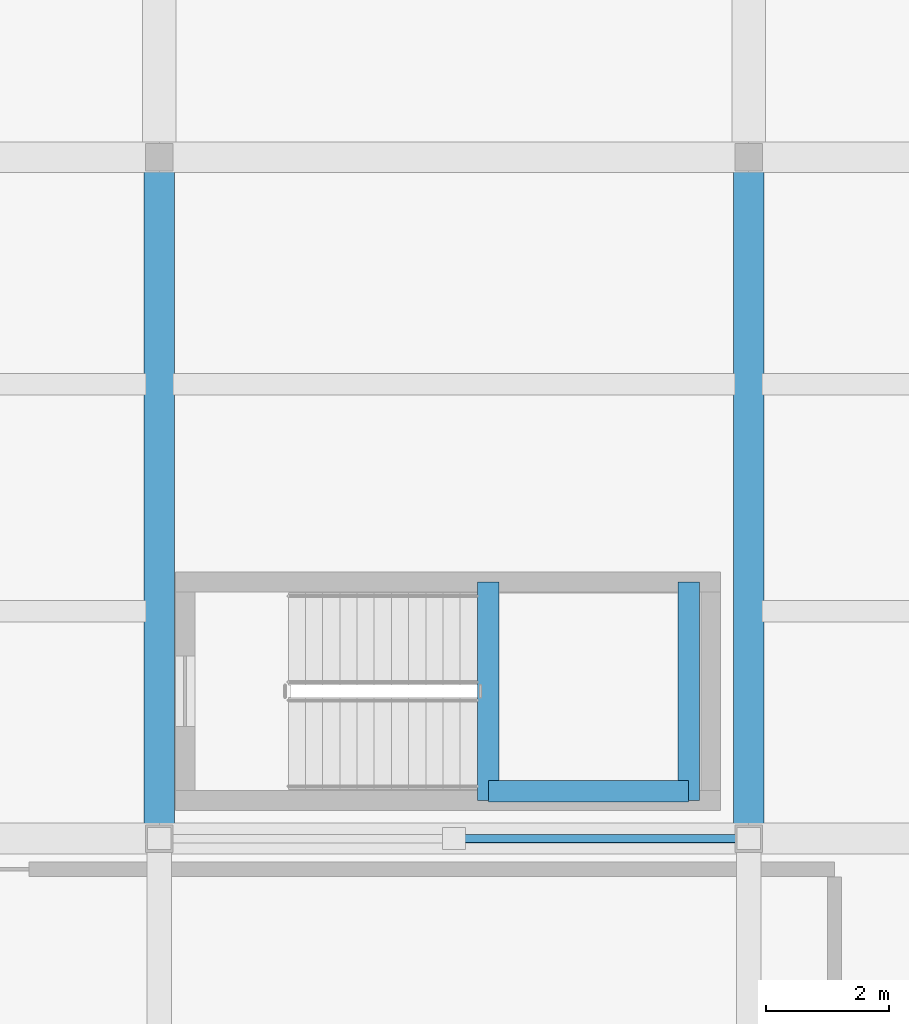
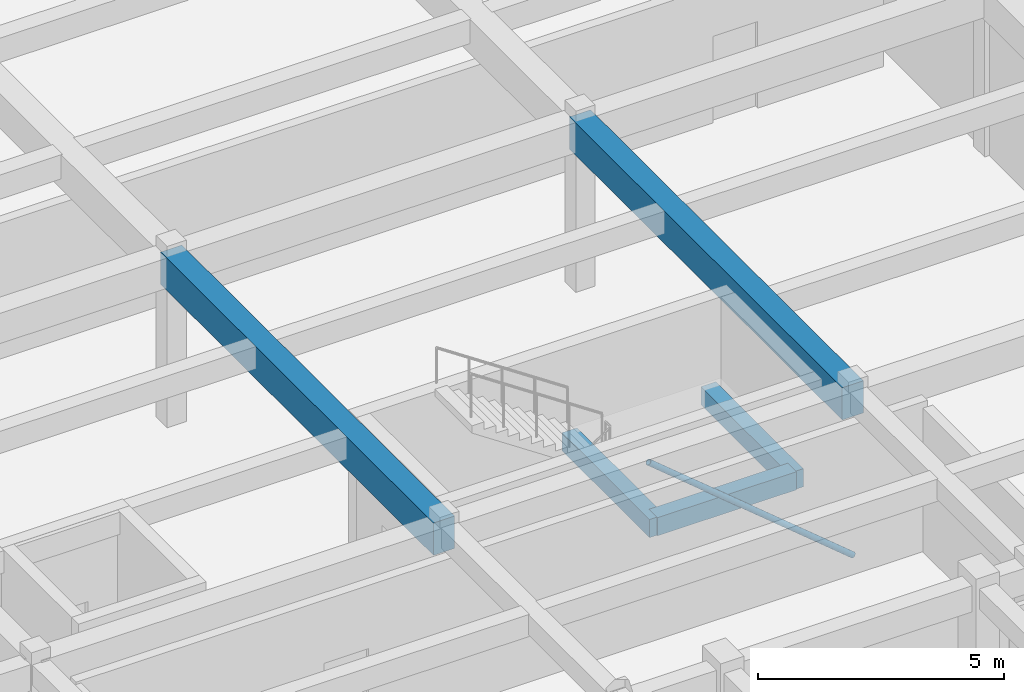
# One storey, part 49 of 92: 5 beams, 1 member.
"""IFC4 building model written with IfcOpenShell, lengths in metres."""

from ifc_helpers import new_model, si_unit, direction, frame, origin, origin_2d, place, context, subcontext, project, spatial, rectangle, hollow_circle, extrude, material, material_profile, profile_set, type_object, element, save


model = new_model("IFC4")

# Units and contexts
model_context = context("Model", 3, precision=1e-05, world=origin(), true_north=direction((0.0, 1.0)))
body_context = subcontext(model_context, "Body", "Model", "MODEL_VIEW")
ifc_project = project(units=[si_unit("LENGTHUNIT", "METRE"), si_unit("AREAUNIT", "SQUARE_METRE"), si_unit("VOLUMEUNIT", "CUBIC_METRE"), si_unit("PLANEANGLEUNIT", "RADIAN"), si_unit("MASSUNIT", "GRAM", prefix="KILO")], contexts=[model_context])

# Site, building, storey
site_placement = place(None, origin())
site = spatial("IfcSite", under=ifc_project, at=site_placement, CompositionType="ELEMENT")
building_placement = place(site_placement, origin())
building = spatial("IfcBuilding", under=site, at=building_placement, Name="Tarnavel Promenade Courthouse", CompositionType="ELEMENT")
storey_placement = place(building_placement, frame((0.0, 0.0, 5.39990234375)))
storey = spatial("IfcBuildingStorey", under=building, at=storey_placement, Name="L02", CompositionType="ELEMENT", Elevation=5.39990234375)

# Beams
ifc_material_1 = material(Name="Concrete C40/50", Category="concrete")
ifc_material_profile_1 = material_profile(ifc_material_1, rectangle(XDim=0.5, YDim=0.800048828125, at=origin_2d()), Name="PT 500x800")
ifc_profile_set_1 = profile_set([ifc_material_profile_1], Name="Concrete C40/50")
beam_type_1 = type_object("IfcBeamType", Name="Concrete C40/50 BM-PT-500x800 (PT 500x800)", PredefinedType="T_BEAM", material=ifc_profile_set_1)
for number, where, z_axis, x_axis, name in (
    (1, (129.60009765625, 74.39990234375, 3.835205078125), (0.0, 1.0, 0.0), (-1.0, 0.0, 0.0), "L02 Transverse Girder 1327"),
    (2, (139.199951171875, 74.39990234375, 3.835205078125), (0.0, 1.0, 0.0), (-1.0, 0.0, 0.0), "L02 Transverse Girder 1338"),
):
    element("IfcBeam", number, at=place(storey_placement, frame(where, z_axis=z_axis, x_axis=x_axis)), inside=storey, type_object=beam_type_1, Name=name, PredefinedType="T_BEAM", context=body_context, shape_type="SweptSolid", body=[
        extrude(rectangle(XDim=0.5, YDim=0.800048828125, at=origin_2d()), origin(), (0.0, 0.0, 1.0), 11.10009765625),
    ])
ifc_material_profile_2 = material_profile(ifc_material_1, rectangle(XDim=0.35009765625, YDim=0.449951171875, at=origin_2d()), Name="RC 350x450")
ifc_profile_set_2 = profile_set([ifc_material_profile_2], Name="Concrete C40/50")
beam_type_2 = type_object("IfcBeamType", Name="Concrete C40/50 BM-RC-350x450 (RC 350x450)", PredefinedType="BEAM", material=ifc_profile_set_2)
for number, where, z_axis, x_axis, name in (
    (3, (134.9599609375, 75.02001953125, 1.820068359375), (0.0, 1.0, 0.0), (-1.0, 0.0, 0.0), "L02 ST-06 Mid-Landing Support Beam Near"),
    (4, (138.219970703125, 75.02001953125, 1.820068359375), (0.0, 1.0, 0.0), (-1.0, 0.0, 0.0), "L02 ST-06 Mid-Landing Support Beam Far"),
):
    element("IfcBeam", number, at=place(storey_placement, frame(where, z_axis=z_axis, x_axis=x_axis)), inside=storey, type_object=beam_type_2, Name=name, PredefinedType="BEAM", context=body_context, shape_type="SweptSolid", body=[
        extrude(rectangle(XDim=0.35009765625, YDim=0.449951171875, at=origin_2d()), origin(), (0.0, 0.0, 1.0), 3.56005859375),
    ])
beam_placement = place(storey_placement, frame((134.9599609375, 75.169921875, 1.820068359375), z_axis=(1.0, 0.0, 0.0), x_axis=(0.0, 1.0, 0.0)))
element("IfcBeam", 5, at=beam_placement, inside=storey, type_object=beam_type_2, Name="L02 ST-06 Mid-Landing Edge Trimmer", PredefinedType="BEAM", context=body_context, shape_type="SweptSolid", body=[
    extrude(rectangle(XDim=0.35009765625, YDim=0.449951171875, at=origin_2d()), origin(), (0.0, 0.0, 1.0), 3.260009765625),
])

# Member
ifc_material_2 = material(Name="Steel S355J2", Category="steel")
ifc_material_profile_3 = material_profile(ifc_material_2, hollow_circle(Radius=0.06982421875, WallThickness=0.008056640625, at=origin_2d()), Name="CHS 139.7x8")
ifc_profile_set_3 = profile_set([ifc_material_profile_3], Name="Steel S355J2")
member_type = type_object("IfcMemberType", Name="Steel S355J2 MEM-BR-CHS140 (CHS 139.7x8)", PredefinedType="BRACE", material=ifc_profile_set_3)
member_placement = place(storey_placement, frame((139.199951171875, 74.39990234375, 0.0), z_axis=(-0.769397183404, 0.0, 0.638770674162), x_axis=(0.0, -1.0, 0.0)))
element("IfcMember", 6, at=member_placement, inside=storey, type_object=member_type, Name="L02 V6 Chevron Brace B 049", PredefinedType="BRACE", context=body_context, shape_type="SweptSolid", body=[
    extrude(hollow_circle(Radius=0.06982421875, WallThickness=0.008056640625, at=origin_2d()), origin(), (0.0, 0.0, 1.0), 6.23876953125),
])

save(model, "model.ifc")
